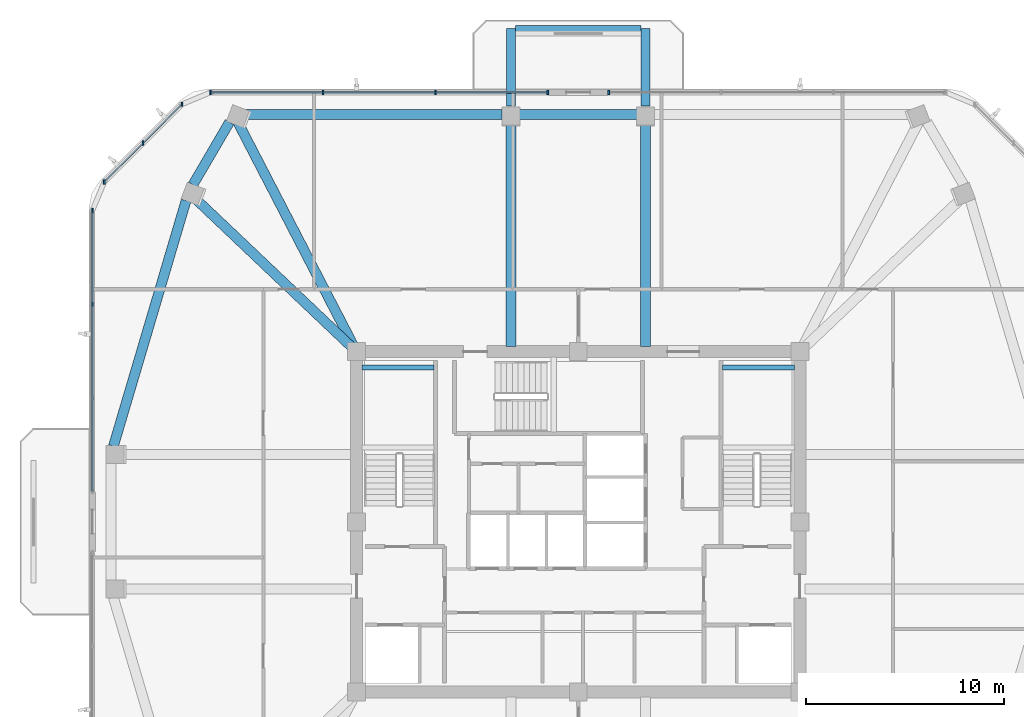
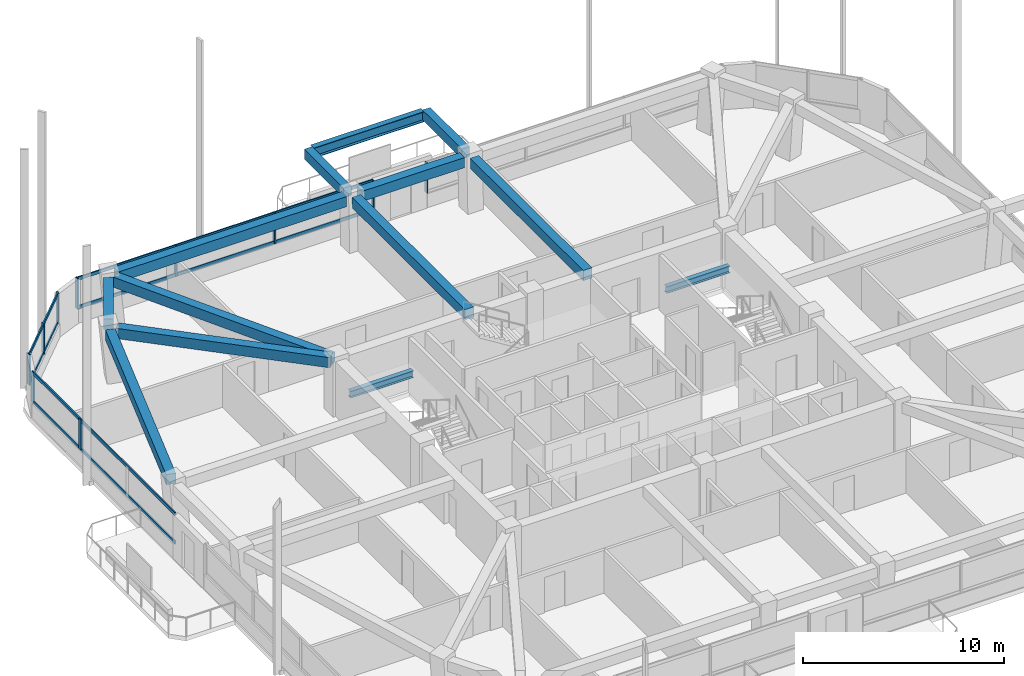
# One storey, part 4 of 14: 16 members, 13 beams, 4 elements without a shape of their own.
"""IFC4 building model written with IfcOpenShell, lengths in metres."""

from ifc_helpers import new_model, si_unit, derived_unit, direction, frame, origin, origin_2d, place, context, subcontext, project, spatial, rectangle, i_section, extrude, material, material_profile, profile_set, type_object, element, aggregate, save


model = new_model("IFC4")

# Units and contexts
model_context = context("Model", 3, precision=1e-05, world=origin(), true_north=direction((0.0, 1.0)))
body_context = subcontext(model_context, "Body", "Model", "MODEL_VIEW")
ifc_project = project(units=[si_unit("LENGTHUNIT", "METRE"), si_unit("AREAUNIT", "SQUARE_METRE"), si_unit("VOLUMEUNIT", "CUBIC_METRE"), si_unit("PLANEANGLEUNIT", "RADIAN"), si_unit("MASSUNIT", "GRAM", prefix="KILO"), derived_unit("THERMALTRANSMITTANCEUNIT", [(si_unit("POWERUNIT", "WATT"), 1), (si_unit("LENGTHUNIT", "METRE"), -2), (si_unit("THERMODYNAMICTEMPERATUREUNIT", "KELVIN"), -1)])], contexts=[model_context])

# Site, building, storey
site_placement = place(None, origin())
site = spatial("IfcSite", under=ifc_project, at=site_placement, CompositionType="ELEMENT")
building_placement = place(site_placement, origin())
building = spatial("IfcBuilding", under=site, at=building_placement, Name="Koralith Skygarden Medical Center", CompositionType="ELEMENT")
storey_placement = place(building_placement, frame((0.0, 0.0, 192.780029296875)))
storey = spatial("IfcBuildingStorey", under=building, at=storey_placement, Name="L49", CompositionType="ELEMENT", Elevation=192.780029296875)

# Curtain wall, member
ifc_material_1 = material(Name="Clear Laminated Glass", Category="glass")
curtain_wall_type = type_object("IfcCurtainWallType", Name="CW-5 Zone 4 Flare Biophilic Curtain Wall", PredefinedType="NOTDEFINED", material=ifc_material_1)
curtain_wall_1_placement = place(storey_placement, origin())
curtain_wall_1 = element("IfcCurtainWall", 1, at=curtain_wall_1_placement, inside=storey, type_object=curtain_wall_type, Name="Curtain Wall CW-L49-N-L", PredefinedType="NOTDEFINED")
ifc_material_2 = material(Name="Aluminium 6063-T6", Category="aluminium")
ifc_material_profile_1 = material_profile(ifc_material_2, rectangle(XDim=0.080078125, YDim=0.219970703125, at=origin_2d()), Name="MUL80X220")
ifc_profile_set_1 = profile_set([ifc_material_profile_1], Name="Aluminium 6063-T6")
member_type_1 = type_object("IfcMemberType", Name="CW-5 Extruded Mullion 80x220", PredefinedType="MULLION", material=ifc_profile_set_1)
member_1_placement = place(storey_placement, frame((38.5400390625, 47.593994140625, 0.849853515625), z_axis=(0.0, 0.0, 1.0), x_axis=(1.0, 0.0, 0.0)))
member_1 = element("IfcMember", 2, at=member_1_placement, type_object=member_type_1, Name="CW-L49-N-L Mullion 4", PredefinedType="MULLION", context=body_context, shape_type="SweptSolid", body=[
    extrude(rectangle(XDim=0.080078125, YDim=0.219970703125, at=origin_2d()), origin(), (0.0, 0.0, 1.0), 1.840087890625),
])
aggregate(curtain_wall_1, [member_1])

# Curtain wall, members
curtain_wall_2_placement = place(storey_placement, origin())
curtain_wall_2 = element("IfcCurtainWall", 3, at=curtain_wall_2_placement, inside=storey, type_object=curtain_wall_type, Name="Curtain Wall CW-L49-N-R", PredefinedType="NOTDEFINED")
member_2_placement = place(storey_placement, frame((35.4599609375, 47.593994140625, 0.849853515625), z_axis=(0.0, 0.0, 1.0), x_axis=(1.0, 0.0, 0.0)))
member_2 = element("IfcMember", 4, at=member_2_placement, type_object=member_type_1, Name="CW-L49-N-R Mullion 1", PredefinedType="MULLION", context=body_context, shape_type="SweptSolid", body=[
    extrude(rectangle(XDim=0.080078125, YDim=0.219970703125, at=origin_2d()), origin(), (0.0, 0.0, 1.0), 1.840087890625),
])
member_3_placement = place(storey_placement, frame((29.783935546875, 47.593994140625, 0.849853515625), z_axis=(0.0, 0.0, 1.0), x_axis=(1.0, 0.0, 0.0)))
member_3 = element("IfcMember", 5, at=member_3_placement, type_object=member_type_1, Name="CW-L49-N-R Mullion 2", PredefinedType="MULLION", context=body_context, shape_type="SweptSolid", body=[
    extrude(rectangle(XDim=0.080078125, YDim=0.219970703125, at=origin_2d()), origin(), (0.0, 0.0, 1.0), 1.840087890625),
])
member_4_placement = place(storey_placement, frame((24.10791015625, 47.593994140625, 0.849853515625), z_axis=(0.0, 0.0, 1.0), x_axis=(1.0, 0.0, 0.0)))
member_4 = element("IfcMember", 6, at=member_4_placement, type_object=member_type_1, Name="CW-L49-N-R Mullion 3", PredefinedType="MULLION", context=body_context, shape_type="SweptSolid", body=[
    extrude(rectangle(XDim=0.080078125, YDim=0.219970703125, at=origin_2d()), origin(), (0.0, 0.0, 1.0), 1.840087890625),
])
member_5_placement = place(storey_placement, frame((18.431884765625, 47.593994140625, 0.849853515625), z_axis=(0.0, 0.0, 1.0), x_axis=(1.0, 0.0, 0.0)))
member_5 = element("IfcMember", 7, at=member_5_placement, type_object=member_type_1, Name="CW-L49-N-R Mullion 4", PredefinedType="MULLION", context=body_context, shape_type="SweptSolid", body=[
    extrude(rectangle(XDim=0.080078125, YDim=0.219970703125, at=origin_2d()), origin(), (0.0, 0.0, 1.0), 1.840087890625),
])

curtain_wall_3_placement = place(storey_placement, origin())
curtain_wall_3 = element("IfcCurtainWall", 8, at=curtain_wall_3_placement, inside=storey, type_object=curtain_wall_type, Name="Curtain Wall CW-L49-NW", PredefinedType="NOTDEFINED")
member_6_placement = place(storey_placement, frame((16.98095703125, 46.992919921875, 0.849853515625), z_axis=(0.0, 0.0, 1.0), x_axis=(1.0, 0.0, 0.0)))
member_6 = element("IfcMember", 9, at=member_6_placement, type_object=member_type_1, Name="CW-L49-NW Mullion 1", PredefinedType="MULLION", context=body_context, shape_type="SweptSolid", body=[
    extrude(rectangle(XDim=0.080078125, YDim=0.219970703125, at=origin_2d()), origin(), (0.0, 0.0, 1.0), 1.840087890625),
])
member_7_placement = place(storey_placement, frame((15.02001953125, 45.031982421875, 0.849853515625), z_axis=(0.0, 0.0, 1.0), x_axis=(1.0, 0.0, 0.0)))
member_7 = element("IfcMember", 10, at=member_7_placement, type_object=member_type_1, Name="CW-L49-NW Mullion 2", PredefinedType="MULLION", context=body_context, shape_type="SweptSolid", body=[
    extrude(rectangle(XDim=0.080078125, YDim=0.219970703125, at=origin_2d()), origin(), (0.0, 0.0, 1.0), 1.840087890625),
])
member_8_placement = place(storey_placement, frame((13.05810546875, 43.070068359375, 0.849853515625), z_axis=(0.0, 0.0, 1.0), x_axis=(1.0, 0.0, 0.0)))
member_8 = element("IfcMember", 11, at=member_8_placement, type_object=member_type_1, Name="CW-L49-NW Mullion 3", PredefinedType="MULLION", context=body_context, shape_type="SweptSolid", body=[
    extrude(rectangle(XDim=0.080078125, YDim=0.219970703125, at=origin_2d()), origin(), (0.0, 0.0, 1.0), 1.840087890625),
])

curtain_wall_4_placement = place(storey_placement, origin())
curtain_wall_4 = element("IfcCurtainWall", 12, at=curtain_wall_4_placement, inside=storey, type_object=curtain_wall_type, Name="Curtain Wall CW-L49-W-L", PredefinedType="NOTDEFINED")
member_9_placement = place(storey_placement, frame((12.4560546875, 41.618896484375, 0.849853515625), z_axis=(0.0, 0.0, 1.0), x_axis=(1.0, 0.0, 0.0)))
member_9 = element("IfcMember", 13, at=member_9_placement, type_object=member_type_1, Name="CW-L49-W-L Mullion 1", PredefinedType="MULLION", context=body_context, shape_type="SweptSolid", body=[
    extrude(rectangle(XDim=0.080078125, YDim=0.219970703125, at=origin_2d()), origin(), (0.0, 0.0, 1.0), 1.840087890625),
])
member_10_placement = place(storey_placement, frame((12.4560546875, 36.89306640625, 0.849853515625), z_axis=(0.0, 0.0, 1.0), x_axis=(1.0, 0.0, 0.0)))
member_10 = element("IfcMember", 14, at=member_10_placement, type_object=member_type_1, Name="CW-L49-W-L Mullion 2", PredefinedType="MULLION", context=body_context, shape_type="SweptSolid", body=[
    extrude(rectangle(XDim=0.080078125, YDim=0.219970703125, at=origin_2d()), origin(), (0.0, 0.0, 1.0), 1.840087890625),
])

# Member
ifc_material_profile_2 = material_profile(ifc_material_2, rectangle(XDim=0.074951171875, YDim=0.197998046875, at=origin_2d()), Name="TRN75X198")
ifc_profile_set_2 = profile_set([ifc_material_profile_2], Name="Aluminium 6063-T6")
member_type_2 = type_object("IfcMemberType", Name="CW-5 Thermal Transom 75x198", PredefinedType="USERDEFINED", material=ifc_profile_set_2)
member_11_placement = place(storey_placement, frame((35.4599609375, 47.593994140625, 0.89990234375), z_axis=(-1.0, 0.0, 0.0), x_axis=(0.0, -1.0, 0.0)))
member_11 = element("IfcMember", 15, at=member_11_placement, type_object=member_type_2, Name="CW-L49-N-R Transom 1", ObjectType="TRANSOM", PredefinedType="USERDEFINED", context=body_context, shape_type="SweptSolid", body=[
    extrude(rectangle(XDim=0.074951171875, YDim=0.197998046875, at=origin_2d()), origin(), (0.0, 0.0, 1.0), 17.028076171875),
])

member_12_placement = place(storey_placement, frame((35.4599609375, 47.593994140625, 2.639892578125), z_axis=(-1.0, 0.0, 0.0), x_axis=(0.0, -1.0, 0.0)))
member_12 = element("IfcMember", 16, at=member_12_placement, type_object=member_type_2, Name="CW-L49-N-R Transom 2", ObjectType="TRANSOM", PredefinedType="USERDEFINED", context=body_context, shape_type="SweptSolid", body=[
    extrude(rectangle(XDim=0.074951171875, YDim=0.197998046875, at=origin_2d()), origin(), (0.0, 0.0, 1.0), 17.028076171875),
])

aggregate(curtain_wall_2, [member_2, member_3, member_4, member_5, member_11, member_12])

member_13_placement = place(storey_placement, frame((16.98095703125, 46.992919921875, 0.89990234375), z_axis=(-0.707106781187, -0.707106781187, 0.0), x_axis=(0.707106781187, -0.707106781187, 0.0)))
member_13 = element("IfcMember", 17, at=member_13_placement, type_object=member_type_2, Name="CW-L49-NW Transom 1", ObjectType="TRANSOM", PredefinedType="USERDEFINED", context=body_context, shape_type="SweptSolid", body=[
    extrude(rectangle(XDim=0.074951171875, YDim=0.197998046875, at=origin_2d()), origin(), (0.0, 0.0, 1.0), 5.5478515625),
])

member_14_placement = place(storey_placement, frame((16.98095703125, 46.992919921875, 2.639892578125), z_axis=(-0.707106781187, -0.707106781187, 0.0), x_axis=(0.707106781187, -0.707106781187, 0.0)))
member_14 = element("IfcMember", 18, at=member_14_placement, type_object=member_type_2, Name="CW-L49-NW Transom 2", ObjectType="TRANSOM", PredefinedType="USERDEFINED", context=body_context, shape_type="SweptSolid", body=[
    extrude(rectangle(XDim=0.074951171875, YDim=0.197998046875, at=origin_2d()), origin(), (0.0, 0.0, 1.0), 5.5478515625),
])

aggregate(curtain_wall_3, [member_6, member_7, member_8, member_13, member_14])

member_15_placement = place(storey_placement, frame((12.4560546875, 41.618896484375, 0.89990234375), z_axis=(0.0, -1.0, 0.0), x_axis=(1.0, 0.0, 0.0)))
member_15 = element("IfcMember", 19, at=member_15_placement, type_object=member_type_2, Name="CW-L49-W-L Transom 1", ObjectType="TRANSOM", PredefinedType="USERDEFINED", context=body_context, shape_type="SweptSolid", body=[
    extrude(rectangle(XDim=0.074951171875, YDim=0.197998046875, at=origin_2d()), origin(), (0.0, 0.0, 1.0), 14.178955078125),
])

member_16_placement = place(storey_placement, frame((12.4560546875, 41.618896484375, 2.639892578125), z_axis=(0.0, -1.0, 0.0), x_axis=(1.0, 0.0, 0.0)))
member_16 = element("IfcMember", 20, at=member_16_placement, type_object=member_type_2, Name="CW-L49-W-L Transom 2", ObjectType="TRANSOM", PredefinedType="USERDEFINED", context=body_context, shape_type="SweptSolid", body=[
    extrude(rectangle(XDim=0.074951171875, YDim=0.197998046875, at=origin_2d()), origin(), (0.0, 0.0, 1.0), 14.178955078125),
])

aggregate(curtain_wall_4, [member_9, member_10, member_15, member_16])

# Beams
ifc_material_3 = material(Name="Steel ASTM A992 Grade 50", Category="steel")
ifc_material_profile_3 = material_profile(ifc_material_3, i_section(OverallWidth=0.326904296875, OverallDepth=0.6220703125, WebThickness=0.015380859375, FlangeThickness=0.0244140625, at=origin_2d()), Name="W24X131")
ifc_profile_set_3 = profile_set([ifc_material_profile_3], Name="Steel ASTM A992 Grade 50")
beam_type_1 = type_object("IfcBeamType", Name="Cantilever Tie Beam W24X131", PredefinedType="BEAM", material=ifc_profile_set_3)
beam_1_placement = place(storey_placement, frame((33.820068359375, 50.820068359375, 3.029052734375), z_axis=(1.0, 0.0, 0.0), x_axis=(0.0, 1.0, 0.0)))
element("IfcBeam", 21, at=beam_1_placement, inside=storey, type_object=beam_type_1, Name="L50 N Balcony Tip Tie Beam", PredefinedType="BEAM", context=body_context, shape_type="SweptSolid", body=[
    extrude(i_section(OverallWidth=0.326904296875, OverallDepth=0.6220703125, WebThickness=0.015380859375, FlangeThickness=0.0244140625, at=origin_2d()), origin(), (0.0, 0.0, 1.0), 6.35986328125),
])
ifc_material_profile_4 = material_profile(ifc_material_3, i_section(OverallWidth=0.260009765625, OverallDepth=0.4150390625, WebThickness=0.010009765625, FlangeThickness=0.016845703125, at=origin_2d()), Name="W16X67")
ifc_profile_set_4 = profile_set([ifc_material_profile_4], Name="Steel ASTM A992 Grade 50")
beam_type_2 = type_object("IfcBeamType", Name="Clinical Floor Joist W16X67", PredefinedType="JOIST", material=ifc_profile_set_4)
for number, where, z_axis, x_axis, name in (
    (22, (26.080078125, 33.699951171875, 1.39306640625), (1.0, 0.0, 0.0), (0.0, 1.0, 0.0), "L49 Stair ST1 Half-Landing Support Beam 1B"),
    (23, (44.280029296875, 33.699951171875, 1.39306640625), (1.0, 0.0, 0.0), (0.0, 1.0, 0.0), "L49 Stair ST2 Half-Landing Support Beam 1B"),
):
    element("IfcBeam", number, at=place(storey_placement, frame(where, z_axis=z_axis, x_axis=x_axis)), inside=storey, type_object=beam_type_2, Name=name, PredefinedType="JOIST", context=body_context, shape_type="SweptSolid", body=[
        extrude(i_section(OverallWidth=0.260009765625, OverallDepth=0.4150390625, WebThickness=0.010009765625, FlangeThickness=0.016845703125, at=origin_2d()), origin(), (0.0, 0.0, 1.0), 3.639892578125),
    ])
ifc_material_4 = material(Name="Concrete C45/55", Category="concrete")
ifc_material_profile_5 = material_profile(ifc_material_4, rectangle(XDim=0.449951171875, YDim=0.60009765625, at=origin_2d()), Name="RCB450X600")
ifc_profile_set_5 = profile_set([ifc_material_profile_5], Name="Concrete C45/55")
beam_type_3 = type_object("IfcBeamType", Name="Planted Balcony Cantilever Beam RCB450X600", PredefinedType="BEAM", material=ifc_profile_set_5)
for number, where, z_axis, x_axis, name in (
    (24, (33.60009765625, 46.89990234375, 3.0400390625), (0.0, 1.0, 0.0), (-1.0, 0.0, 0.0), "L50 N Balcony Cantilever Beam A"),
    (25, (40.39990234375, 46.89990234375, 3.0400390625), (0.0, 1.0, 0.0), (-1.0, 0.0, 0.0), "L50 N Balcony Cantilever Beam B"),
):
    element("IfcBeam", number, at=place(storey_placement, frame(where, z_axis=z_axis, x_axis=x_axis)), inside=storey, type_object=beam_type_3, Name=name, PredefinedType="BEAM", context=body_context, shape_type="SweptSolid", body=[
        extrude(rectangle(XDim=0.449951171875, YDim=0.60009765625, at=origin_2d()), origin(), (0.0, 0.0, 1.0), 3.920166015625),
    ])
ifc_material_profile_6 = material_profile(ifc_material_4, rectangle(XDim=0.5, YDim=0.6201171875, at=origin_2d()), Name="RCB500X620")
ifc_profile_set_6 = profile_set([ifc_material_profile_6], Name="Concrete C45/55")
beam_type_4 = type_object("IfcBeamType", Name="Upper Radial Collector Beam RCB500X620", PredefinedType="BEAM", material=ifc_profile_set_6)
for number, where, z_axis, x_axis, name in (
    (26, (40.39990234375, 34.75, 3.010009765625), (0.0, 1.0, 0.0), (-1.0, 0.0, 0.0), "L49 Radial Collector Beam RB-12"),
    (27, (33.60009765625, 34.75, 3.010009765625), (0.0, 1.0, 0.0), (-1.0, 0.0, 0.0), "L49 Radial Collector Beam RB-13"),
):
    element("IfcBeam", number, at=place(storey_placement, frame(where, z_axis=z_axis, x_axis=x_axis)), inside=storey, type_object=beam_type_4, Name=name, PredefinedType="BEAM", context=body_context, shape_type="SweptSolid", body=[
        extrude(rectangle(XDim=0.5, YDim=0.6201171875, at=origin_2d()), origin(), (0.0, 0.0, 1.0), 11.280029296875),
    ])
beam_2_placement = place(storey_placement, frame((25.68505859375, 34.721923828125, 3.010009765625), z_axis=(-0.459580285537, 0.888136228934, 0.0), x_axis=(-0.888136228934, -0.459580285537, 0.0)))
element("IfcBeam", 28, at=beam_2_placement, inside=storey, type_object=beam_type_4, Name="L49 Radial Collector Beam RB-14", PredefinedType="BEAM", context=body_context, shape_type="SweptSolid", body=[
    extrude(rectangle(XDim=0.5, YDim=0.6201171875, at=origin_2d()), origin(), (0.0, 0.0, 1.0), 12.78759765625),
])
beam_3_placement = place(storey_placement, frame((25.618896484375, 34.672119140625, 3.010009765625), z_axis=(-0.725483293562, 0.688239777085, 0.0), x_axis=(-0.688239777085, -0.725483293562, 0.0)))
element("IfcBeam", 29, at=beam_3_placement, inside=storey, type_object=beam_type_4, Name="L49 Radial Collector Beam RB-15", PredefinedType="BEAM", context=body_context, shape_type="SweptSolid", body=[
    extrude(rectangle(XDim=0.5, YDim=0.6201171875, at=origin_2d()), origin(), (0.0, 0.0, 1.0), 11.00634765625),
])
ifc_material_profile_7 = material_profile(ifc_material_4, rectangle(XDim=0.5, YDim=0.6201171875, at=origin_2d()), Name="RCB500X620")
ifc_profile_set_7 = profile_set([ifc_material_profile_7], Name="Concrete C45/55")
beam_type_5 = type_object("IfcBeamType", Name="Zone 4-5 Spandrel Beam RCB500X620", PredefinedType="SPANDREL", material=ifc_profile_set_7)
beam_4_placement = place(storey_placement, frame((39.9599609375, 46.469970703125, 3.010009765625), z_axis=(-1.0, 0.0, 0.0), x_axis=(0.0, -1.0, 0.0)))
element("IfcBeam", 30, at=beam_4_placement, inside=storey, type_object=beam_type_5, Name="L49 Perimeter Spandrel Beam SP-12", PredefinedType="SPANDREL", context=body_context, shape_type="SweptSolid", body=[
    extrude(rectangle(XDim=0.5, YDim=0.6201171875, at=origin_2d()), origin(), (0.0, 0.0, 1.0), 5.919921875),
])
beam_5_placement = place(storey_placement, frame((33.159912109375, 46.469970703125, 3.010009765625), z_axis=(-1.0, 0.0, 0.0), x_axis=(0.0, -1.0, 0.0)))
element("IfcBeam", 31, at=beam_5_placement, inside=storey, type_object=beam_type_5, Name="L49 Perimeter Spandrel Beam SP-13", PredefinedType="SPANDREL", context=body_context, shape_type="SweptSolid", body=[
    extrude(rectangle(XDim=0.5, YDim=0.6201171875, at=origin_2d()), origin(), (0.0, 0.0, 1.0), 13.114013671875),
])
beam_6_placement = place(storey_placement, frame((19.384033203125, 46.090087890625, 3.010009765625), z_axis=(-0.504584161671, -0.863362510068, 0.0), x_axis=(0.863362510068, -0.504584161671, 0.0)))
element("IfcBeam", 32, at=beam_6_placement, inside=storey, type_object=beam_type_5, Name="L49 Perimeter Spandrel Beam SP-14", PredefinedType="SPANDREL", context=body_context, shape_type="SweptSolid", body=[
    extrude(rectangle(XDim=0.5, YDim=0.6201171875, at=origin_2d()), origin(), (0.0, 0.0, 1.0), 3.660400390625),
])
beam_7_placement = place(storey_placement, frame((17.18994140625, 42.1279296875, 3.010009765625), z_axis=(-0.283666813305, -0.958922905676, 0.0), x_axis=(0.958922905676, -0.283666813305, 0.0)))
element("IfcBeam", 33, at=beam_7_placement, inside=storey, type_object=beam_type_5, Name="L49 Perimeter Spandrel Beam SP-15", PredefinedType="SPANDREL", context=body_context, shape_type="SweptSolid", body=[
    extrude(rectangle(XDim=0.5, YDim=0.6201171875, at=origin_2d()), origin(), (0.0, 0.0, 1.0), 12.9375),
])

save(model, "model.ifc")
